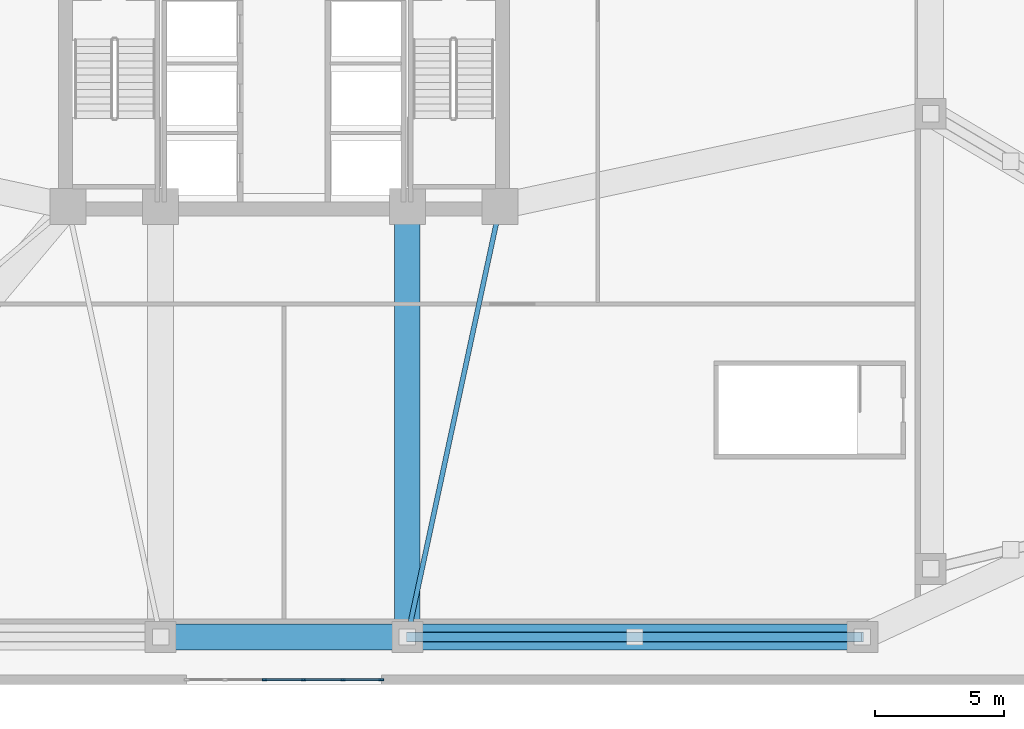
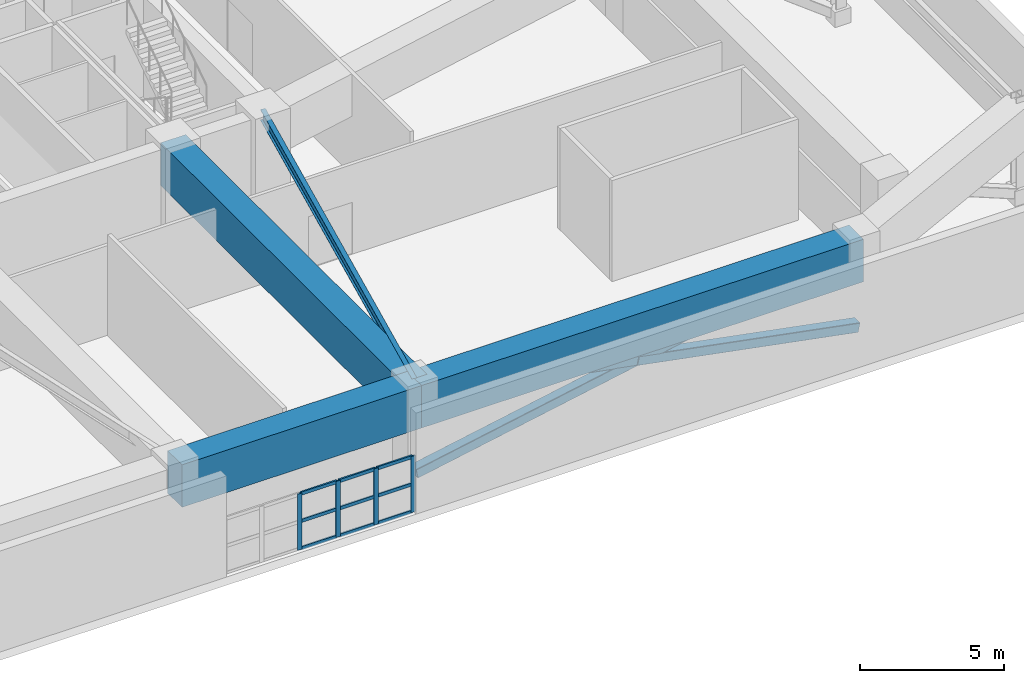
# One storey, part 5 of 19: 16 members, 4 beams, 1 element without a shape of its own.
"""IFC4 building model written with IfcOpenShell, lengths in metres."""

from ifc_helpers import new_model, si_unit, direction, frame, origin, origin_2d, place, context, subcontext, project, spatial, rectangle, hollow_rectangle, i_section, extrude, material, layer, layer_set, material_profile, profile_set, type_object, element, aggregate, save


model = new_model("IFC4")

# Units and contexts
model_context = context("Model", 3, precision=1e-05, world=origin(), true_north=direction((0.0, 1.0)))
body_context = subcontext(model_context, "Body", "Model", "MODEL_VIEW")
ifc_project = project(units=[si_unit("LENGTHUNIT", "METRE"), si_unit("AREAUNIT", "SQUARE_METRE"), si_unit("VOLUMEUNIT", "CUBIC_METRE"), si_unit("PLANEANGLEUNIT", "RADIAN"), si_unit("MASSUNIT", "GRAM", prefix="KILO")], contexts=[model_context])

# Site, building, storey
site_placement = place(None, origin())
site = spatial("IfcSite", under=ifc_project, at=site_placement, CompositionType="ELEMENT")
building_placement = place(site_placement, origin())
building = spatial("IfcBuilding", under=site, at=building_placement, Name="Cairnveth Concourse Tower", CompositionType="ELEMENT")
storey_placement = place(building_placement, frame((0.0, 0.0, 19.0)))
storey = spatial("IfcBuildingStorey", under=building, at=storey_placement, Name="L04", CompositionType="ELEMENT", Elevation=19.0)

# Curtain wall, members
ifc_material_1 = material(Name="Architectural Bronze Anodised Aluminium 6063-T6", Category="aluminium")
ifc_layer = layer(ifc_material_1, 0.340087890625)
ifc_layer_set = layer_set([ifc_layer], Name="Architectural Bronze Anodised Aluminium 6063-T6")
curtain_wall_type = type_object("IfcCurtainWallType", Name="BALLROOM FOYER UNITISED CURTAIN WALL", PredefinedType="USERDEFINED", material=ifc_layer_set)
curtain_wall_placement = place(storey_placement, origin())
curtain_wall = element("IfcCurtainWall", 1, at=curtain_wall_placement, inside=storey, type_object=curtain_wall_type, Name="Curtain Wall CW-L04-S1", ObjectType="UNITISED FACADE", PredefinedType="USERDEFINED")
ifc_material_profile_1 = material_profile(ifc_material_1, rectangle(XDim=0.06494140625, YDim=0.179931640625, at=origin_2d()), Name="AL-MUL-65x180")
ifc_profile_set_1 = profile_set([ifc_material_profile_1], Name="Architectural Bronze Anodised Aluminium 6063-T6")
member_type_1 = type_object("IfcMemberType", Name="BRONZE CURTAIN WALL MULLION AL-MUL-65x180", PredefinedType="MULLION", material=ifc_profile_set_1)
member_1_placement = place(storey_placement, frame((55.782470703125, 12.18994140625, 0.0), z_axis=(0.0, 0.0, 1.0), x_axis=(0.0, -1.0, 0.0)))
member_1 = element("IfcMember", 2, at=member_1_placement, type_object=member_type_1, Name="CWS3 mullion 1", PredefinedType="MULLION", context=body_context, shape_type="SweptSolid", body=[
    extrude(rectangle(XDim=0.06494140625, YDim=0.179931640625, at=origin_2d()), origin(), (0.0, 0.0, 1.0), 2.3798828125),
])
member_2_placement = place(storey_placement, frame((54.2890625, 12.18994140625, 0.0), z_axis=(0.0, 0.0, 1.0), x_axis=(0.0, -1.0, 0.0)))
member_2 = element("IfcMember", 3, at=member_2_placement, type_object=member_type_1, Name="CWS3 mullion 2", PredefinedType="MULLION", context=body_context, shape_type="SweptSolid", body=[
    extrude(rectangle(XDim=0.06494140625, YDim=0.179931640625, at=origin_2d()), origin(), (0.0, 0.0, 1.0), 2.3798828125),
])
member_3_placement = place(storey_placement, frame((52.762939453125, 12.18994140625, 0.0), z_axis=(0.0, 0.0, 1.0), x_axis=(0.0, -1.0, 0.0)))
member_3 = element("IfcMember", 4, at=member_3_placement, type_object=member_type_1, Name="CWS3 mullion 3", PredefinedType="MULLION", context=body_context, shape_type="SweptSolid", body=[
    extrude(rectangle(XDim=0.06494140625, YDim=0.179931640625, at=origin_2d()), origin(), (0.0, 0.0, 1.0), 2.3798828125),
])
member_4_placement = place(storey_placement, frame((51.237060546875, 12.18994140625, 0.0), z_axis=(0.0, 0.0, 1.0), x_axis=(0.0, -1.0, 0.0)))
member_4 = element("IfcMember", 5, at=member_4_placement, type_object=member_type_1, Name="CWS3 mullion 4", PredefinedType="MULLION", context=body_context, shape_type="SweptSolid", body=[
    extrude(rectangle(XDim=0.06494140625, YDim=0.179931640625, at=origin_2d()), origin(), (0.0, 0.0, 1.0), 2.3798828125),
])
ifc_material_profile_2 = material_profile(ifc_material_1, rectangle(XDim=0.06494140625, YDim=0.139892578125, at=origin_2d()), Name="AL-TRN-65x140")
ifc_profile_set_2 = profile_set([ifc_material_profile_2], Name="Architectural Bronze Anodised Aluminium 6063-T6")
member_type_2 = type_object("IfcMemberType", Name="BRONZE CURTAIN WALL TRANSOM AL-TRN-65x140", PredefinedType="USERDEFINED", material=ifc_profile_set_2)
member_5_placement = place(storey_placement, frame((55.75, 12.18994140625, 0.032470703125), z_axis=(-1.0, 0.0, 0.0), x_axis=(0.0, -1.0, 0.0)))
member_5 = element("IfcMember", 6, at=member_5_placement, type_object=member_type_2, Name="CWS3 transom 1.1", ObjectType="TRANSOM", PredefinedType="USERDEFINED", context=body_context, shape_type="SweptSolid", body=[
    extrude(rectangle(XDim=0.06494140625, YDim=0.139892578125, at=origin_2d()), origin(), (0.0, 0.0, 1.0), 1.428466796875),
])
member_6_placement = place(storey_placement, frame((55.75, 12.18994140625, 1.18994140625), z_axis=(-1.0, 0.0, 0.0), x_axis=(0.0, -1.0, 0.0)))
member_6 = element("IfcMember", 7, at=member_6_placement, type_object=member_type_2, Name="CWS3 transom 1.2", ObjectType="TRANSOM", PredefinedType="USERDEFINED", context=body_context, shape_type="SweptSolid", body=[
    extrude(rectangle(XDim=0.06494140625, YDim=0.139892578125, at=origin_2d()), origin(), (0.0, 0.0, 1.0), 1.428466796875),
])
member_7_placement = place(storey_placement, frame((55.75, 12.18994140625, 2.347412109375), z_axis=(-1.0, 0.0, 0.0), x_axis=(0.0, -1.0, 0.0)))
member_7 = element("IfcMember", 8, at=member_7_placement, type_object=member_type_2, Name="CWS3 transom 1.3", ObjectType="TRANSOM", PredefinedType="USERDEFINED", context=body_context, shape_type="SweptSolid", body=[
    extrude(rectangle(XDim=0.06494140625, YDim=0.139892578125, at=origin_2d()), origin(), (0.0, 0.0, 1.0), 1.428466796875),
])
member_8_placement = place(storey_placement, frame((54.256591796875, 12.18994140625, 0.032470703125), z_axis=(-1.0, 0.0, 0.0), x_axis=(0.0, -1.0, 0.0)))
member_8 = element("IfcMember", 9, at=member_8_placement, type_object=member_type_2, Name="CWS3 transom 2.1", ObjectType="TRANSOM", PredefinedType="USERDEFINED", context=body_context, shape_type="SweptSolid", body=[
    extrude(rectangle(XDim=0.06494140625, YDim=0.139892578125, at=origin_2d()), origin(), (0.0, 0.0, 1.0), 1.461181640625),
])
member_9_placement = place(storey_placement, frame((54.256591796875, 12.18994140625, 1.18994140625), z_axis=(-1.0, 0.0, 0.0), x_axis=(0.0, -1.0, 0.0)))
member_9 = element("IfcMember", 10, at=member_9_placement, type_object=member_type_2, Name="CWS3 transom 2.2", ObjectType="TRANSOM", PredefinedType="USERDEFINED", context=body_context, shape_type="SweptSolid", body=[
    extrude(rectangle(XDim=0.06494140625, YDim=0.139892578125, at=origin_2d()), origin(), (0.0, 0.0, 1.0), 1.461181640625),
])
member_10_placement = place(storey_placement, frame((54.256591796875, 12.18994140625, 2.347412109375), z_axis=(-1.0, 0.0, 0.0), x_axis=(0.0, -1.0, 0.0)))
member_10 = element("IfcMember", 11, at=member_10_placement, type_object=member_type_2, Name="CWS3 transom 2.3", ObjectType="TRANSOM", PredefinedType="USERDEFINED", context=body_context, shape_type="SweptSolid", body=[
    extrude(rectangle(XDim=0.06494140625, YDim=0.139892578125, at=origin_2d()), origin(), (0.0, 0.0, 1.0), 1.461181640625),
])
member_11_placement = place(storey_placement, frame((52.73046875, 12.18994140625, 0.032470703125), z_axis=(-1.0, 0.0, 0.0), x_axis=(0.0, -1.0, 0.0)))
member_11 = element("IfcMember", 12, at=member_11_placement, type_object=member_type_2, Name="CWS3 transom 3.1", ObjectType="TRANSOM", PredefinedType="USERDEFINED", context=body_context, shape_type="SweptSolid", body=[
    extrude(rectangle(XDim=0.06494140625, YDim=0.139892578125, at=origin_2d()), origin(), (0.0, 0.0, 1.0), 1.4609375),
])
member_12_placement = place(storey_placement, frame((52.73046875, 12.18994140625, 1.18994140625), z_axis=(-1.0, 0.0, 0.0), x_axis=(0.0, -1.0, 0.0)))
member_12 = element("IfcMember", 13, at=member_12_placement, type_object=member_type_2, Name="CWS3 transom 3.2", ObjectType="TRANSOM", PredefinedType="USERDEFINED", context=body_context, shape_type="SweptSolid", body=[
    extrude(rectangle(XDim=0.06494140625, YDim=0.139892578125, at=origin_2d()), origin(), (0.0, 0.0, 1.0), 1.4609375),
])
member_13_placement = place(storey_placement, frame((52.73046875, 12.18994140625, 2.347412109375), z_axis=(-1.0, 0.0, 0.0), x_axis=(0.0, -1.0, 0.0)))
member_13 = element("IfcMember", 14, at=member_13_placement, type_object=member_type_2, Name="CWS3 transom 3.3", ObjectType="TRANSOM", PredefinedType="USERDEFINED", context=body_context, shape_type="SweptSolid", body=[
    extrude(rectangle(XDim=0.06494140625, YDim=0.139892578125, at=origin_2d()), origin(), (0.0, 0.0, 1.0), 1.4609375),
])
aggregate(curtain_wall, [member_1, member_2, member_3, member_4, member_5, member_6, member_7, member_8, member_9, member_10, member_11, member_12, member_13])

# Beams
ifc_material_2 = material(Name="Concrete N65 (65 MPa)", Category="concrete")
ifc_material_profile_3 = material_profile(ifc_material_2, rectangle(XDim=1.0, YDim=1.800048828125, at=origin_2d()), Name="RC-TB-1000x1800")
ifc_profile_set_3 = profile_set([ifc_material_profile_3], Name="Concrete N65 (65 MPa)")
beam_type_1 = type_object("IfcBeamType", Name="CONCRETE TRANSFER GIRDER 1000X1800", PredefinedType="BEAM", material=ifc_profile_set_3)
beam_1_placement = place(storey_placement, frame((56.800048828125, 13.85009765625, 3.3798828125), z_axis=(0.0, 1.0, 0.0), x_axis=(-1.0, 0.0, 0.0)))
element("IfcBeam", 15, at=beam_1_placement, inside=storey, type_object=beam_type_1, Name="Beam PG-S2 L04", PredefinedType="BEAM", context=body_context, shape_type="SweptSolid", body=[
    extrude(rectangle(XDim=1.0, YDim=1.800048828125, at=origin_2d()), origin(), (0.0, 0.0, 1.0), 16.75),
])
beam_2_placement = place(storey_placement, frame((47.199951171875, 13.85009765625, 3.3798828125), z_axis=(1.0, 0.0, 0.0), x_axis=(0.0, 1.0, 0.0)))
element("IfcBeam", 16, at=beam_2_placement, inside=storey, type_object=beam_type_1, Name="Beam PR-S2 L04", PredefinedType="BEAM", context=body_context, shape_type="SweptSolid", body=[
    extrude(rectangle(XDim=1.0, YDim=1.800048828125, at=origin_2d()), origin(), (0.0, 0.0, 1.0), 9.60009765625),
])
beam_3_placement = place(storey_placement, frame((56.800048828125, 13.85009765625, 3.3798828125), z_axis=(1.0, 0.0, 0.0), x_axis=(0.0, 1.0, 0.0)))
element("IfcBeam", 17, at=beam_3_placement, inside=storey, type_object=beam_type_1, Name="Beam PR-S3 L04", PredefinedType="BEAM", context=body_context, shape_type="SweptSolid", body=[
    extrude(rectangle(XDim=1.0, YDim=1.800048828125, at=origin_2d()), origin(), (0.0, 0.0, 1.0), 17.699951171875),
])
ifc_material_3 = material(Name="Steel Grade 350", Category="steel")
ifc_material_profile_4 = material_profile(ifc_material_3, i_section(OverallWidth=0.18994140625, OverallDepth=0.45703125, WebThickness=0.009033203125, FlangeThickness=0.014404296875, FilletRadius=0.010986328125, at=origin_2d()), Name="460UB74.6")
ifc_profile_set_4 = profile_set([ifc_material_profile_4], Name="Steel Grade 350")
beam_type_2 = type_object("IfcBeamType", Name="PODIUM FLOOR JOIST 460UB74.6", PredefinedType="JOIST", material=ifc_profile_set_4)
beam_4_placement = place(storey_placement, frame((60.39990234375, 30.60009765625, 4.051513671875), z_axis=(-0.210118799239, -0.977675861524, 0.0), x_axis=(0.977675861524, -0.210118799239, 0.0)))
element("IfcBeam", 18, at=beam_4_placement, inside=storey, type_object=beam_type_2, Name="Beam PJ-S-X2 L04", PredefinedType="JOIST", context=body_context, shape_type="SweptSolid", body=[
    extrude(i_section(OverallWidth=0.18994140625, OverallDepth=0.45703125, WebThickness=0.009033203125, FlangeThickness=0.014404296875, FilletRadius=0.010986328125, at=origin_2d()), origin(), (0.0, 0.0, 1.0), 17.132568359375),
])

# Members
ifc_material_4 = material(Name="Steel C350L0 (350 MPa)", Category="steel")
ifc_material_profile_5 = material_profile(ifc_material_4, hollow_rectangle(XDim=0.39990234375, YDim=0.39990234375, WallThickness=0.01611328125, InnerFilletRadius=0.01611328125, OuterFilletRadius=0.031982421875, at=origin_2d()), Name="400x400x16.0SHS")
ifc_profile_set_5 = profile_set([ifc_material_profile_5], Name="Steel C350L0 (350 MPa)")
member_type_3 = type_object("IfcMemberType", Name="PODIUM TRANSFER BRACE 400X400X16SHS", PredefinedType="BRACE", material=ifc_profile_set_5)
member_14_placement = place(storey_placement, frame((56.800048828125, 13.85009765625, 0.35009765625), z_axis=(0.982252130991, 0.0, 0.187565325059), x_axis=(0.0, 1.0, 0.0)))
element("IfcMember", 19, at=member_14_placement, inside=storey, type_object=member_type_3, Name="Structural Brace PTR-TS2A L04", PredefinedType="BRACE", context=body_context, shape_type="SweptSolid", body=[
    extrude(hollow_rectangle(XDim=0.39990234375, YDim=0.39990234375, WallThickness=0.01611328125, InnerFilletRadius=0.01611328125, OuterFilletRadius=0.031982421875, at=origin_2d()), origin(), (0.0, 0.0, 1.0), 18.019775390625),
])
for number, where, z_axis, x_axis, name in (
    (20, (74.5, 13.85009765625, 0.35009765625), (-0.9822543675, 0.0, 0.187553612408), (0.0, -1.0, 0.0), "Structural Brace PTR-TS2B1 L04"),
    (21, (65.63525390625, 13.85009765625, 2.042724609375), (-0.982249366868, 0.0, 0.187579799785), (0.0, -1.0, 0.0), "Structural Brace PTR-TS2B2 L04"),
):
    element("IfcMember", number, at=place(storey_placement, frame(where, z_axis=z_axis, x_axis=x_axis)), inside=storey, type_object=member_type_3, Name=name, PredefinedType="BRACE", context=body_context, shape_type="SweptSolid", body=[
        extrude(hollow_rectangle(XDim=0.39990234375, YDim=0.39990234375, WallThickness=0.01611328125, InnerFilletRadius=0.01611328125, OuterFilletRadius=0.031982421875, at=origin_2d()), origin(), (0.0, 0.0, 1.0), 8.994873046875),
    ])

save(model, "model.ifc")
